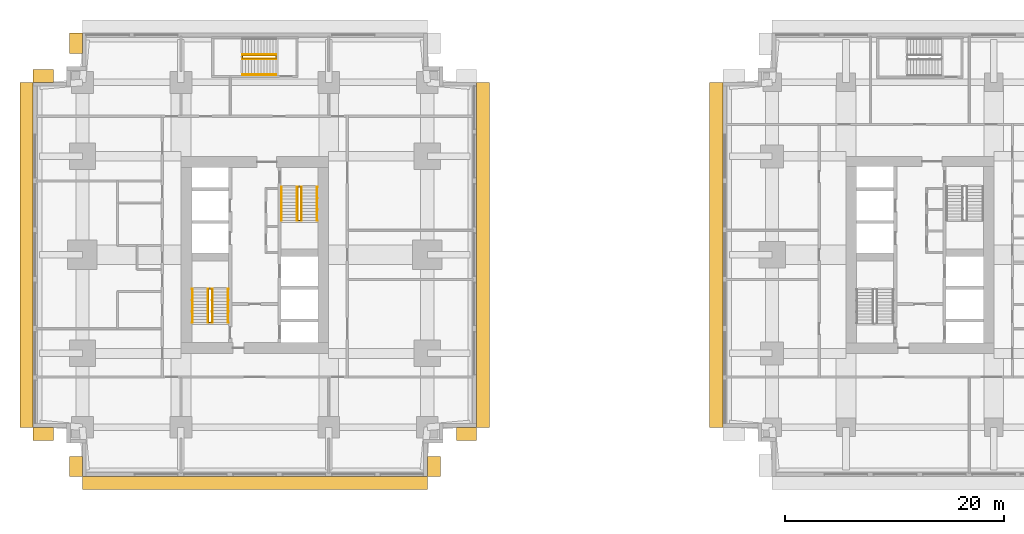
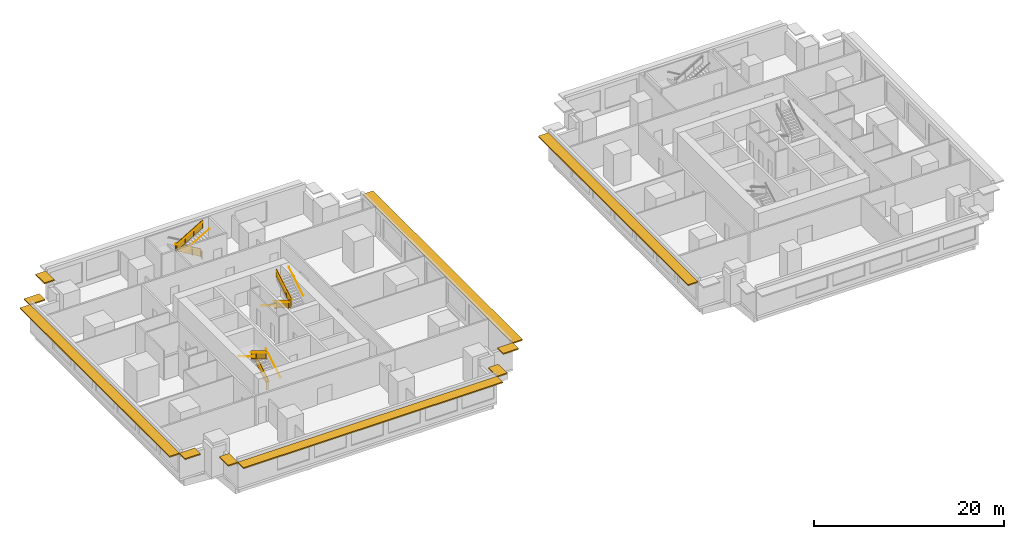
# One storey, part 9 of 11: 14 railings, 10 shading devices.
"""IFC4 building model written with IfcOpenShell, lengths in metres."""

from ifc_helpers import new_model, si_unit, direction, frame, origin, origin_2d, place, context, subcontext, project, spatial, polyline, rectangle, circle, outline, extrude, material, layer, layer_set, type_object, element, save


model = new_model("IFC4")

# Units and contexts
model_context = context("Model", 3, precision=1e-05, world=origin(), true_north=direction((0.0, 1.0)))
body_context = subcontext(model_context, "Body", "Model", "MODEL_VIEW")
ifc_project = project(units=[si_unit("LENGTHUNIT", "METRE"), si_unit("AREAUNIT", "SQUARE_METRE"), si_unit("VOLUMEUNIT", "CUBIC_METRE"), si_unit("PLANEANGLEUNIT", "RADIAN"), si_unit("MASSUNIT", "GRAM", prefix="KILO")], contexts=[model_context])

# Site, building, storey
site_placement = place(None, origin())
site = spatial("IfcSite", under=ifc_project, at=site_placement, CompositionType="ELEMENT")
building_placement = place(site_placement, origin())
building = spatial("IfcBuilding", under=site, at=building_placement, Name="Namib Vertical Campus", CompositionType="ELEMENT")
storey_placement = place(building_placement, frame((0.0, 0.0, 49.0)))
storey = spatial("IfcBuildingStorey", under=building, at=storey_placement, Name="L11", CompositionType="ELEMENT", Elevation=49.0)

# Railings
ifc_material_1 = material(Name="Steel handrail", Category="steel")
railing_type_1 = type_object("IfcRailingType", Name="Handrail 900", PredefinedType="HANDRAIL", material=ifc_material_1)
railing_1_placement = place(storey_placement, frame((17.800048828125, 14.050048828125, 0.166748046875)))
element("IfcRailing", 1, at=railing_1_placement, inside=storey, type_object=railing_type_1, Name="Handrail HR1 A-S1 L11 1", PredefinedType="HANDRAIL", context=body_context, shape_type="SweptSolid", body=[
    extrude(circle(Radius=0.02392578125, at=origin_2d()), frame((0.0, 0.0, 0.8759765625), z_axis=(0.0, 0.859290745958, 0.51148745235), x_axis=(-1.0, 0.0, 0.0)), (0.0, 0.0, 1.0), 3.584228515625),
    extrude(circle(Radius=0.008056640625, at=origin_2d()), frame((0.0, 0.0, 0.8759765625), z_axis=(1.0, 0.0, 0.0), x_axis=(0.0, 0.0, 1.0)), (0.0, 0.0, 1.0), 0.050048828125),
    extrude(circle(Radius=0.008056640625, at=origin_2d()), frame((0.0, 1.026611328125, 1.48681640625), z_axis=(1.0, 0.0, 0.0), x_axis=(0.0, 0.0, 1.0)), (0.0, 0.0, 1.0), 0.050048828125),
    extrude(circle(Radius=0.008056640625, at=origin_2d()), frame((0.0, 2.05322265625, 2.09814453125), z_axis=(1.0, 0.0, 0.0), x_axis=(0.0, 0.0, 1.0)), (0.0, 0.0, 1.0), 0.050048828125),
    extrude(circle(Radius=0.008056640625, at=origin_2d()), frame((0.0, 3.079833984375, 2.708984375), z_axis=(1.0, 0.0, 0.0), x_axis=(0.0, 0.0, 1.0)), (0.0, 0.0, 1.0), 0.050048828125),
])
railing_2_placement = place(storey_placement, frame((14.550048828125, 17.1298828125, 2.166748046875)))
element("IfcRailing", 2, at=railing_2_placement, inside=storey, type_object=railing_type_1, Name="Handrail HR1 A-S1 L11 2", PredefinedType="HANDRAIL", context=body_context, shape_type="SweptSolid", body=[
    extrude(circle(Radius=0.02392578125, at=origin_2d()), frame((0.0, 0.0, 0.8759765625), z_axis=(0.0, -0.859290745958, 0.51148745235), x_axis=(1.0, 0.0, 0.0)), (0.0, 0.0, 1.0), 3.584228515625),
    extrude(circle(Radius=0.008056640625, at=origin_2d()), frame((0.0, 0.0, 0.8759765625), z_axis=(-1.0, 0.0, 0.0), x_axis=(0.0, 0.0, 1.0)), (0.0, 0.0, 1.0), 0.050048828125),
    extrude(circle(Radius=0.008056640625, at=origin_2d()), frame((0.0, -1.026611328125, 1.48681640625), z_axis=(-1.0, 0.0, 0.0), x_axis=(0.0, 0.0, 1.0)), (0.0, 0.0, 1.0), 0.050048828125),
    extrude(circle(Radius=0.008056640625, at=origin_2d()), frame((0.0, -2.05322265625, 2.09814453125), z_axis=(-1.0, 0.0, 0.0), x_axis=(0.0, 0.0, 1.0)), (0.0, 0.0, 1.0), 0.050048828125),
    extrude(circle(Radius=0.008056640625, at=origin_2d()), frame((0.0, -3.079833984375, 2.708984375), z_axis=(-1.0, 0.0, 0.0), x_axis=(0.0, 0.0, 1.0)), (0.0, 0.0, 1.0), 0.050048828125),
])
railing_3_placement = place(storey_placement, frame((16.375, 14.050048828125, 0.166748046875)))
element("IfcRailing", 3, at=railing_3_placement, inside=storey, type_object=railing_type_1, Name="Handrail HR1 A-S1 L11 1 at the well", PredefinedType="HANDRAIL", context=body_context, shape_type="SweptSolid", body=[
    extrude(circle(Radius=0.02392578125, at=origin_2d()), frame((0.0, 0.0, 0.8759765625), z_axis=(0.0, 0.859290745958, 0.51148745235), x_axis=(-1.0, 0.0, 0.0)), (0.0, 0.0, 1.0), 3.584228515625),
    extrude(circle(Radius=0.008056640625, at=origin_2d()), frame((0.0, 0.0, 0.8759765625), z_axis=(-1.0, 0.0, 0.0), x_axis=(0.0, 0.0, 1.0)), (0.0, 0.0, 1.0), 0.0400390625),
    extrude(circle(Radius=0.008056640625, at=origin_2d()), frame((0.0, 1.026611328125, 1.48681640625), z_axis=(-1.0, 0.0, 0.0), x_axis=(0.0, 0.0, 1.0)), (0.0, 0.0, 1.0), 0.0400390625),
    extrude(circle(Radius=0.008056640625, at=origin_2d()), frame((0.0, 2.05322265625, 2.09814453125), z_axis=(-1.0, 0.0, 0.0), x_axis=(0.0, 0.0, 1.0)), (0.0, 0.0, 1.0), 0.0400390625),
    extrude(circle(Radius=0.008056640625, at=origin_2d()), frame((0.0, 3.079833984375, 2.708984375), z_axis=(-1.0, 0.0, 0.0), x_axis=(0.0, 0.0, 1.0)), (0.0, 0.0, 1.0), 0.0400390625),
])
railing_4_placement = place(storey_placement, frame((15.97509765625, 17.1298828125, 2.166748046875)))
element("IfcRailing", 4, at=railing_4_placement, inside=storey, type_object=railing_type_1, Name="Handrail HR1 A-S1 L11 2 at the well", PredefinedType="HANDRAIL", context=body_context, shape_type="SweptSolid", body=[
    extrude(circle(Radius=0.02392578125, at=origin_2d()), frame((0.0, 0.0, 0.8759765625), z_axis=(0.0, -0.859290745958, 0.51148745235), x_axis=(1.0, 0.0, 0.0)), (0.0, 0.0, 1.0), 3.584228515625),
    extrude(circle(Radius=0.008056640625, at=origin_2d()), frame((0.0, 0.0, 0.8759765625), z_axis=(1.0, 0.0, 0.0), x_axis=(0.0, 0.0, 1.0)), (0.0, 0.0, 1.0), 0.0400390625),
    extrude(circle(Radius=0.008056640625, at=origin_2d()), frame((0.0, -1.026611328125, 1.48681640625), z_axis=(1.0, 0.0, 0.0), x_axis=(0.0, 0.0, 1.0)), (0.0, 0.0, 1.0), 0.0400390625),
    extrude(circle(Radius=0.008056640625, at=origin_2d()), frame((0.0, -2.05322265625, 2.09814453125), z_axis=(1.0, 0.0, 0.0), x_axis=(0.0, 0.0, 1.0)), (0.0, 0.0, 1.0), 0.0400390625),
    extrude(circle(Radius=0.008056640625, at=origin_2d()), frame((0.0, -3.079833984375, 2.708984375), z_axis=(1.0, 0.0, 0.0), x_axis=(0.0, 0.0, 1.0)), (0.0, 0.0, 1.0), 0.0400390625),
])
railing_5_placement = place(storey_placement, frame((22.699951171875, 26.449951171875, 0.166748046875)))
element("IfcRailing", 5, at=railing_5_placement, inside=storey, type_object=railing_type_1, Name="Handrail HR1 A-S2 L11 1", PredefinedType="HANDRAIL", context=body_context, shape_type="SweptSolid", body=[
    extrude(circle(Radius=0.02392578125, at=origin_2d()), frame((0.0, 0.0, 0.8759765625), z_axis=(0.0, -0.859290745958, 0.51148745235), x_axis=(1.0, 0.0, 0.0)), (0.0, 0.0, 1.0), 3.584228515625),
    extrude(circle(Radius=0.008056640625, at=origin_2d()), frame((0.0, 0.0, 0.8759765625), z_axis=(-1.0, 0.0, 0.0), x_axis=(0.0, 0.0, 1.0)), (0.0, 0.0, 1.0), 0.050048828125),
    extrude(circle(Radius=0.008056640625, at=origin_2d()), frame((0.0, -1.026611328125, 1.48681640625), z_axis=(-1.0, 0.0, 0.0), x_axis=(0.0, 0.0, 1.0)), (0.0, 0.0, 1.0), 0.050048828125),
    extrude(circle(Radius=0.008056640625, at=origin_2d()), frame((0.0, -2.05322265625, 2.09814453125), z_axis=(-1.0, 0.0, 0.0), x_axis=(0.0, 0.0, 1.0)), (0.0, 0.0, 1.0), 0.050048828125),
    extrude(circle(Radius=0.008056640625, at=origin_2d()), frame((0.0, -3.079833984375, 2.708984375), z_axis=(-1.0, 0.0, 0.0), x_axis=(0.0, 0.0, 1.0)), (0.0, 0.0, 1.0), 0.050048828125),
])
railing_6_placement = place(storey_placement, frame((25.949951171875, 23.3701171875, 2.166748046875)))
element("IfcRailing", 6, at=railing_6_placement, inside=storey, type_object=railing_type_1, Name="Handrail HR1 A-S2 L11 2", PredefinedType="HANDRAIL", context=body_context, shape_type="SweptSolid", body=[
    extrude(circle(Radius=0.02392578125, at=origin_2d()), frame((0.0, 0.0, 0.8759765625), z_axis=(0.0, 0.859290745958, 0.51148745235), x_axis=(-1.0, 0.0, 0.0)), (0.0, 0.0, 1.0), 3.584228515625),
    extrude(circle(Radius=0.008056640625, at=origin_2d()), frame((0.0, 0.0, 0.8759765625), z_axis=(1.0, 0.0, 0.0), x_axis=(0.0, 0.0, 1.0)), (0.0, 0.0, 1.0), 0.050048828125),
    extrude(circle(Radius=0.008056640625, at=origin_2d()), frame((0.0, 1.026611328125, 1.48681640625), z_axis=(1.0, 0.0, 0.0), x_axis=(0.0, 0.0, 1.0)), (0.0, 0.0, 1.0), 0.050048828125),
    extrude(circle(Radius=0.008056640625, at=origin_2d()), frame((0.0, 2.05322265625, 2.09814453125), z_axis=(1.0, 0.0, 0.0), x_axis=(0.0, 0.0, 1.0)), (0.0, 0.0, 1.0), 0.050048828125),
    extrude(circle(Radius=0.008056640625, at=origin_2d()), frame((0.0, 3.079833984375, 2.708984375), z_axis=(1.0, 0.0, 0.0), x_axis=(0.0, 0.0, 1.0)), (0.0, 0.0, 1.0), 0.050048828125),
])
railing_7_placement = place(storey_placement, frame((24.125, 26.449951171875, 0.166748046875)))
element("IfcRailing", 7, at=railing_7_placement, inside=storey, type_object=railing_type_1, Name="Handrail HR1 A-S2 L11 1 at the well", PredefinedType="HANDRAIL", context=body_context, shape_type="SweptSolid", body=[
    extrude(circle(Radius=0.02392578125, at=origin_2d()), frame((0.0, 0.0, 0.8759765625), z_axis=(0.0, -0.859290745958, 0.51148745235), x_axis=(1.0, 0.0, 0.0)), (0.0, 0.0, 1.0), 3.584228515625),
    extrude(circle(Radius=0.008056640625, at=origin_2d()), frame((0.0, 0.0, 0.8759765625), z_axis=(1.0, 0.0, 0.0), x_axis=(0.0, 0.0, 1.0)), (0.0, 0.0, 1.0), 0.0400390625),
    extrude(circle(Radius=0.008056640625, at=origin_2d()), frame((0.0, -1.026611328125, 1.48681640625), z_axis=(1.0, 0.0, 0.0), x_axis=(0.0, 0.0, 1.0)), (0.0, 0.0, 1.0), 0.0400390625),
    extrude(circle(Radius=0.008056640625, at=origin_2d()), frame((0.0, -2.05322265625, 2.09814453125), z_axis=(1.0, 0.0, 0.0), x_axis=(0.0, 0.0, 1.0)), (0.0, 0.0, 1.0), 0.0400390625),
    extrude(circle(Radius=0.008056640625, at=origin_2d()), frame((0.0, -3.079833984375, 2.708984375), z_axis=(1.0, 0.0, 0.0), x_axis=(0.0, 0.0, 1.0)), (0.0, 0.0, 1.0), 0.0400390625),
])
railing_8_placement = place(storey_placement, frame((24.52490234375, 23.3701171875, 2.166748046875)))
element("IfcRailing", 8, at=railing_8_placement, inside=storey, type_object=railing_type_1, Name="Handrail HR1 A-S2 L11 2 at the well", PredefinedType="HANDRAIL", context=body_context, shape_type="SweptSolid", body=[
    extrude(circle(Radius=0.02392578125, at=origin_2d()), frame((0.0, 0.0, 0.8759765625), z_axis=(0.0, 0.859290745958, 0.51148745235), x_axis=(-1.0, 0.0, 0.0)), (0.0, 0.0, 1.0), 3.584228515625),
    extrude(circle(Radius=0.008056640625, at=origin_2d()), frame((0.0, 0.0, 0.8759765625), z_axis=(-1.0, 0.0, 0.0), x_axis=(0.0, 0.0, 1.0)), (0.0, 0.0, 1.0), 0.0400390625),
    extrude(circle(Radius=0.008056640625, at=origin_2d()), frame((0.0, 1.026611328125, 1.48681640625), z_axis=(-1.0, 0.0, 0.0), x_axis=(0.0, 0.0, 1.0)), (0.0, 0.0, 1.0), 0.0400390625),
    extrude(circle(Radius=0.008056640625, at=origin_2d()), frame((0.0, 2.05322265625, 2.09814453125), z_axis=(-1.0, 0.0, 0.0), x_axis=(0.0, 0.0, 1.0)), (0.0, 0.0, 1.0), 0.0400390625),
    extrude(circle(Radius=0.008056640625, at=origin_2d()), frame((0.0, 3.079833984375, 2.708984375), z_axis=(-1.0, 0.0, 0.0), x_axis=(0.0, 0.0, 1.0)), (0.0, 0.0, 1.0), 0.0400390625),
])
railing_9_placement = place(storey_placement, frame((19.1201171875, 36.699951171875, 2.166748046875)))
element("IfcRailing", 9, at=railing_9_placement, inside=storey, type_object=railing_type_1, Name="Handrail HR1 A-S3 L11 2", PredefinedType="HANDRAIL", context=body_context, shape_type="SweptSolid", body=[
    extrude(circle(Radius=0.02392578125, at=origin_2d()), frame((0.0, 0.0, 0.8759765625), z_axis=(0.859290745958, 0.0, 0.51148745235), x_axis=(0.0, 1.0, 0.0)), (0.0, 0.0, 1.0), 3.584228515625),
    extrude(circle(Radius=0.008056640625, at=origin_2d()), frame((0.0, 0.0, 0.8759765625), z_axis=(0.0, -1.0, 0.0), x_axis=(0.0, 0.0, 1.0)), (0.0, 0.0, 1.0), 0.050048828125),
    extrude(circle(Radius=0.008056640625, at=origin_2d()), frame((1.026611328125, 0.0, 1.48681640625), z_axis=(0.0, -1.0, 0.0), x_axis=(0.0, 0.0, 1.0)), (0.0, 0.0, 1.0), 0.050048828125),
    extrude(circle(Radius=0.008056640625, at=origin_2d()), frame((2.05322265625, 0.0, 2.09814453125), z_axis=(0.0, -1.0, 0.0), x_axis=(0.0, 0.0, 1.0)), (0.0, 0.0, 1.0), 0.050048828125),
    extrude(circle(Radius=0.008056640625, at=origin_2d()), frame((3.079833984375, 0.0, 2.708984375), z_axis=(0.0, -1.0, 0.0), x_axis=(0.0, 0.0, 1.0)), (0.0, 0.0, 1.0), 0.050048828125),
])
railing_10_placement = place(storey_placement, frame((22.199951171875, 38.52490234375, 0.166748046875)))
element("IfcRailing", 10, at=railing_10_placement, inside=storey, type_object=railing_type_1, Name="Handrail HR1 A-S3 L11 1 at the well", PredefinedType="HANDRAIL", context=body_context, shape_type="SweptSolid", body=[
    extrude(circle(Radius=0.02392578125, at=origin_2d()), frame((0.0, 0.0, 0.8759765625), z_axis=(-0.859290745958, 0.0, 0.51148745235), x_axis=(0.0, -1.0, 0.0)), (0.0, 0.0, 1.0), 3.584228515625),
    extrude(circle(Radius=0.008056640625, at=origin_2d()), frame((0.0, 0.0, 0.8759765625), z_axis=(0.0, -1.0, 0.0), x_axis=(0.0, 0.0, 1.0)), (0.0, 0.0, 1.0), 0.0400390625),
    extrude(circle(Radius=0.008056640625, at=origin_2d()), frame((-1.026611328125, 0.0, 1.48681640625), z_axis=(0.0, -1.0, 0.0), x_axis=(0.0, 0.0, 1.0)), (0.0, 0.0, 1.0), 0.0400390625),
    extrude(circle(Radius=0.008056640625, at=origin_2d()), frame((-2.05322265625, 0.0, 2.09814453125), z_axis=(0.0, -1.0, 0.0), x_axis=(0.0, 0.0, 1.0)), (0.0, 0.0, 1.0), 0.0400390625),
    extrude(circle(Radius=0.008056640625, at=origin_2d()), frame((-3.079833984375, 0.0, 2.708984375), z_axis=(0.0, -1.0, 0.0), x_axis=(0.0, 0.0, 1.0)), (0.0, 0.0, 1.0), 0.0400390625),
])
railing_11_placement = place(storey_placement, frame((19.1201171875, 38.125, 2.166748046875)))
element("IfcRailing", 11, at=railing_11_placement, inside=storey, type_object=railing_type_1, Name="Handrail HR1 A-S3 L11 2 at the well", PredefinedType="HANDRAIL", context=body_context, shape_type="SweptSolid", body=[
    extrude(circle(Radius=0.02392578125, at=origin_2d()), frame((0.0, 0.0, 0.8759765625), z_axis=(0.859290745958, 0.0, 0.51148745235), x_axis=(0.0, 1.0, 0.0)), (0.0, 0.0, 1.0), 3.584228515625),
    extrude(circle(Radius=0.008056640625, at=origin_2d()), frame((0.0, 0.0, 0.8759765625), z_axis=(0.0, 1.0, 0.0), x_axis=(0.0, 0.0, 1.0)), (0.0, 0.0, 1.0), 0.0400390625),
    extrude(circle(Radius=0.008056640625, at=origin_2d()), frame((1.026611328125, 0.0, 1.48681640625), z_axis=(0.0, 1.0, 0.0), x_axis=(0.0, 0.0, 1.0)), (0.0, 0.0, 1.0), 0.0400390625),
    extrude(circle(Radius=0.008056640625, at=origin_2d()), frame((2.05322265625, 0.0, 2.09814453125), z_axis=(0.0, 1.0, 0.0), x_axis=(0.0, 0.0, 1.0)), (0.0, 0.0, 1.0), 0.0400390625),
    extrude(circle(Radius=0.008056640625, at=origin_2d()), frame((3.079833984375, 0.0, 2.708984375), z_axis=(0.0, 1.0, 0.0), x_axis=(0.0, 0.0, 1.0)), (0.0, 0.0, 1.0), 0.0400390625),
])
ifc_material_2 = material(Name="Steel balustrade", Category="steel")
railing_type_2 = type_object("IfcRailingType", Name="Stair guard 1100", PredefinedType="GUARDRAIL", material=ifc_material_2)
railing_12_placement = place(storey_placement, frame((16.02490234375, 14.050048828125, 0.0)))
element("IfcRailing", 12, at=railing_12_placement, inside=storey, type_object=railing_type_2, Name="Stair guard GR1 A-S1 L11", PredefinedType="GUARDRAIL", context=body_context, shape_type="SweptSolid", body=[
    extrude(circle(Radius=0.02392578125, at=origin_2d()), frame((0.0, 0.0, 1.076171875), z_axis=(1.0, 0.0, 0.0), x_axis=(0.0, 1.0, 0.0)), (0.0, 0.0, 1.0), 0.300048828125),
    extrude(outline(polyline([(0.02099609375, 0.050048828125), (0.279052734375, 0.050048828125), (0.279052734375, 1.052001953125), (0.02099609375, 1.052001953125), (0.02099609375, 0.050048828125)])), frame((0.0, 0.010009765625, 0.0), z_axis=(0.0, -1.0, 0.0), x_axis=(1.0, 0.0, 0.0)), (0.0, 0.0, 1.0), 0.02001953125),
    extrude(circle(Radius=0.02392578125, at=origin_2d()), frame((0.300048828125, 0.0, 1.076171875), z_axis=(0.0, 0.0, 1.0), x_axis=(1.0, 0.0, 0.0)), (0.0, 0.0, 1.0), 0.166748046875),
    extrude(circle(Radius=0.02392578125, at=origin_2d()), frame((0.300048828125, 0.0, 1.24267578125), z_axis=(0.0, 0.859290745958, 0.51148745235), x_axis=(-1.0, 0.0, 0.0)), (0.0, 0.0, 1.0), 3.584228515625),
    extrude(outline(polyline([(0.02099609375, 0.0625), (3.058837890625, 1.870849609375), (3.058837890625, 2.872802734375), (0.02099609375, 1.064453125), (0.02099609375, 0.0625)])), frame((0.2900390625, 0.0, 0.166748046875), z_axis=(1.0, 0.0, 0.0), x_axis=(0.0, 1.0, 0.0)), (0.0, 0.0, 1.0), 0.02001953125),
    extrude(circle(Radius=0.02392578125, at=origin_2d()), frame((0.300048828125, 3.079833984375, 3.076171875), z_axis=(-1.0, 0.0, 0.0), x_axis=(0.0, -1.0, 0.0)), (0.0, 0.0, 1.0), 0.300048828125),
    extrude(outline(polyline([(0.02099609375, 0.050048828125), (0.279052734375, 0.050048828125), (0.279052734375, 1.052001953125), (0.02099609375, 1.052001953125), (0.02099609375, 0.050048828125)])), frame((0.300048828125, 3.06982421875, 2.0), z_axis=(0.0, 1.0, 0.0), x_axis=(-1.0, 0.0, 0.0)), (0.0, 0.0, 1.0), 0.02001953125),
    extrude(circle(Radius=0.02392578125, at=origin_2d()), frame((0.0, 3.079833984375, 3.076171875), z_axis=(0.0, 0.0, 1.0), x_axis=(1.0, 0.0, 0.0)), (0.0, 0.0, 1.0), 0.166748046875),
    extrude(circle(Radius=0.02392578125, at=origin_2d()), frame((0.0, 3.079833984375, 3.24267578125), z_axis=(0.0, -0.859290745958, 0.51148745235), x_axis=(1.0, 0.0, 0.0)), (0.0, 0.0, 1.0), 3.584228515625),
    extrude(outline(polyline([(0.02099609375, 0.0625), (3.058837890625, 1.870849609375), (3.058837890625, 2.872802734375), (0.02099609375, 1.064453125), (0.02099609375, 0.0625)])), frame((0.010009765625, 3.079833984375, 2.166748046875), z_axis=(-1.0, 0.0, 0.0), x_axis=(0.0, -1.0, 0.0)), (0.0, 0.0, 1.0), 0.02001953125),
    extrude(circle(Radius=0.02392578125, at=origin_2d()), frame((0.0, 0.0, 5.076171875), z_axis=(0.0, -1.0, 0.0), x_axis=(1.0, 0.0, 0.0)), (0.0, 0.0, 1.0), 0.050048828125),
    extrude(outline(polyline([(0.02099609375, 0.050048828125), (0.029052734375, 0.050048828125), (0.029052734375, 1.052001953125), (0.02099609375, 1.052001953125), (0.02099609375, 0.050048828125)])), frame((0.010009765625, 0.0, 4.0), z_axis=(-1.0, 0.0, 0.0), x_axis=(0.0, -1.0, 0.0)), (0.0, 0.0, 1.0), 0.02001953125),
    extrude(circle(Radius=0.02099609375, at=origin_2d()), origin(), (0.0, 0.0, 1.0), 1.052001953125),
    extrude(circle(Radius=0.02099609375, at=origin_2d()), frame((0.300048828125, 0.0, 0.166748046875)), (0.0, 0.0, 1.0), 1.052001953125),
    extrude(circle(Radius=0.02099609375, at=origin_2d()), frame((0.300048828125, 1.026611328125, 0.666748046875)), (0.0, 0.0, 1.0), 1.1630859375),
    extrude(circle(Radius=0.02099609375, at=origin_2d()), frame((0.300048828125, 2.05322265625, 1.33349609375)), (0.0, 0.0, 1.0), 1.107421875),
    extrude(circle(Radius=0.02099609375, at=origin_2d()), frame((0.300048828125, 3.079833984375, 2.0)), (0.0, 0.0, 1.0), 1.052001953125),
    extrude(circle(Radius=0.02099609375, at=origin_2d()), frame((0.0, 3.079833984375, 2.166748046875)), (0.0, 0.0, 1.0), 1.052001953125),
    extrude(circle(Radius=0.02099609375, at=origin_2d()), frame((0.0, 2.05322265625, 2.666748046875)), (0.0, 0.0, 1.0), 1.1630859375),
    extrude(circle(Radius=0.02099609375, at=origin_2d()), frame((0.0, 1.026611328125, 3.33349609375)), (0.0, 0.0, 1.0), 1.107421875),
    extrude(circle(Radius=0.02099609375, at=origin_2d()), frame((0.0, 0.0, 4.0)), (0.0, 0.0, 1.0), 1.052001953125),
    extrude(circle(Radius=0.02099609375, at=origin_2d()), frame((0.0, -0.050048828125, 4.0)), (0.0, 0.0, 1.0), 1.052001953125),
])
railing_13_placement = place(storey_placement, frame((24.47509765625, 26.449951171875, 0.0)))
element("IfcRailing", 13, at=railing_13_placement, inside=storey, type_object=railing_type_2, Name="Stair guard GR1 A-S2 L11", PredefinedType="GUARDRAIL", context=body_context, shape_type="SweptSolid", body=[
    extrude(circle(Radius=0.02392578125, at=origin_2d()), frame((0.0, 0.0, 1.076171875), z_axis=(-1.0, 0.0, 0.0), x_axis=(0.0, -1.0, 0.0)), (0.0, 0.0, 1.0), 0.300048828125),
    extrude(outline(polyline([(0.02099609375, 0.050048828125), (0.279052734375, 0.050048828125), (0.279052734375, 1.052001953125), (0.02099609375, 1.052001953125), (0.02099609375, 0.050048828125)])), frame((0.0, -0.010009765625, 0.0), z_axis=(0.0, 1.0, 0.0), x_axis=(-1.0, 0.0, 0.0)), (0.0, 0.0, 1.0), 0.02001953125),
    extrude(circle(Radius=0.02392578125, at=origin_2d()), frame((-0.300048828125, 0.0, 1.076171875), z_axis=(0.0, 0.0, 1.0), x_axis=(1.0, 0.0, 0.0)), (0.0, 0.0, 1.0), 0.166748046875),
    extrude(circle(Radius=0.02392578125, at=origin_2d()), frame((-0.300048828125, 0.0, 1.24267578125), z_axis=(0.0, -0.859290745958, 0.51148745235), x_axis=(1.0, 0.0, 0.0)), (0.0, 0.0, 1.0), 3.584228515625),
    extrude(outline(polyline([(0.02099609375, 0.0625), (3.058837890625, 1.870849609375), (3.058837890625, 2.872802734375), (0.02099609375, 1.064453125), (0.02099609375, 0.0625)])), frame((-0.2900390625, 0.0, 0.166748046875), z_axis=(-1.0, 0.0, 0.0), x_axis=(0.0, -1.0, 0.0)), (0.0, 0.0, 1.0), 0.02001953125),
    extrude(circle(Radius=0.02392578125, at=origin_2d()), frame((-0.300048828125, -3.079833984375, 3.076171875), z_axis=(1.0, 0.0, 0.0), x_axis=(0.0, 1.0, 0.0)), (0.0, 0.0, 1.0), 0.300048828125),
    extrude(outline(polyline([(0.02099609375, 0.050048828125), (0.279052734375, 0.050048828125), (0.279052734375, 1.052001953125), (0.02099609375, 1.052001953125), (0.02099609375, 0.050048828125)])), frame((-0.300048828125, -3.06982421875, 2.0), z_axis=(0.0, -1.0, 0.0), x_axis=(1.0, 0.0, 0.0)), (0.0, 0.0, 1.0), 0.02001953125),
    extrude(circle(Radius=0.02392578125, at=origin_2d()), frame((0.0, -3.079833984375, 3.076171875), z_axis=(0.0, 0.0, 1.0), x_axis=(1.0, 0.0, 0.0)), (0.0, 0.0, 1.0), 0.166748046875),
    extrude(circle(Radius=0.02392578125, at=origin_2d()), frame((0.0, -3.079833984375, 3.24267578125), z_axis=(0.0, 0.859290745958, 0.51148745235), x_axis=(-1.0, 0.0, 0.0)), (0.0, 0.0, 1.0), 3.584228515625),
    extrude(outline(polyline([(0.02099609375, 0.0625), (3.058837890625, 1.870849609375), (3.058837890625, 2.872802734375), (0.02099609375, 1.064453125), (0.02099609375, 0.0625)])), frame((-0.010009765625, -3.079833984375, 2.166748046875), z_axis=(1.0, 0.0, 0.0), x_axis=(0.0, 1.0, 0.0)), (0.0, 0.0, 1.0), 0.02001953125),
    extrude(circle(Radius=0.02392578125, at=origin_2d()), frame((0.0, 0.0, 5.076171875), z_axis=(0.0, 1.0, 0.0), x_axis=(-1.0, 0.0, 0.0)), (0.0, 0.0, 1.0), 0.050048828125),
    extrude(outline(polyline([(0.02099609375, 0.050048828125), (0.029052734375, 0.050048828125), (0.029052734375, 1.052001953125), (0.02099609375, 1.052001953125), (0.02099609375, 0.050048828125)])), frame((-0.010009765625, 0.0, 4.0), z_axis=(1.0, 0.0, 0.0), x_axis=(0.0, 1.0, 0.0)), (0.0, 0.0, 1.0), 0.02001953125),
    extrude(circle(Radius=0.02099609375, at=origin_2d()), origin(), (0.0, 0.0, 1.0), 1.052001953125),
    extrude(circle(Radius=0.02099609375, at=origin_2d()), frame((-0.300048828125, 0.0, 0.166748046875)), (0.0, 0.0, 1.0), 1.052001953125),
    extrude(circle(Radius=0.02099609375, at=origin_2d()), frame((-0.300048828125, -1.026611328125, 0.666748046875)), (0.0, 0.0, 1.0), 1.1630859375),
    extrude(circle(Radius=0.02099609375, at=origin_2d()), frame((-0.300048828125, -2.05322265625, 1.33349609375)), (0.0, 0.0, 1.0), 1.107421875),
    extrude(circle(Radius=0.02099609375, at=origin_2d()), frame((-0.300048828125, -3.079833984375, 2.0)), (0.0, 0.0, 1.0), 1.052001953125),
    extrude(circle(Radius=0.02099609375, at=origin_2d()), frame((0.0, -3.079833984375, 2.166748046875)), (0.0, 0.0, 1.0), 1.052001953125),
    extrude(circle(Radius=0.02099609375, at=origin_2d()), frame((0.0, -2.05322265625, 2.666748046875)), (0.0, 0.0, 1.0), 1.1630859375),
    extrude(circle(Radius=0.02099609375, at=origin_2d()), frame((0.0, -1.026611328125, 3.33349609375)), (0.0, 0.0, 1.0), 1.107421875),
    extrude(circle(Radius=0.02099609375, at=origin_2d()), frame((0.0, 0.0, 4.0)), (0.0, 0.0, 1.0), 1.052001953125),
    extrude(circle(Radius=0.02099609375, at=origin_2d()), frame((0.0, 0.050048828125, 4.0)), (0.0, 0.0, 1.0), 1.052001953125),
])
railing_14_placement = place(storey_placement, frame((22.199951171875, 38.175048828125, 0.0)))
element("IfcRailing", 14, at=railing_14_placement, inside=storey, type_object=railing_type_2, Name="Stair guard GR1 A-S3 L11", PredefinedType="GUARDRAIL", context=body_context, shape_type="SweptSolid", body=[
    extrude(circle(Radius=0.02392578125, at=origin_2d()), frame((0.0, 0.0, 1.076171875), z_axis=(0.0, 1.0, 0.0), x_axis=(-1.0, 0.0, 0.0)), (0.0, 0.0, 1.0), 0.300048828125),
    extrude(outline(polyline([(0.02099609375, 0.050048828125), (0.279052734375, 0.050048828125), (0.279052734375, 1.052001953125), (0.02099609375, 1.052001953125), (0.02099609375, 0.050048828125)])), frame((-0.010009765625, 0.0, 0.0), z_axis=(1.0, 0.0, 0.0), x_axis=(0.0, 1.0, 0.0)), (0.0, 0.0, 1.0), 0.02001953125),
    extrude(circle(Radius=0.02392578125, at=origin_2d()), frame((0.0, 0.300048828125, 1.076171875), z_axis=(0.0, 0.0, 1.0), x_axis=(1.0, 0.0, 0.0)), (0.0, 0.0, 1.0), 0.166748046875),
    extrude(circle(Radius=0.02392578125, at=origin_2d()), frame((0.0, 0.300048828125, 1.24267578125), z_axis=(-0.859290745958, 0.0, 0.51148745235), x_axis=(0.0, -1.0, 0.0)), (0.0, 0.0, 1.0), 3.584228515625),
    extrude(outline(polyline([(0.02099609375, 0.0625), (3.058837890625, 1.870849609375), (3.058837890625, 2.872802734375), (0.02099609375, 1.064453125), (0.02099609375, 0.0625)])), frame((0.0, 0.2900390625, 0.166748046875), z_axis=(0.0, 1.0, 0.0), x_axis=(-1.0, 0.0, 0.0)), (0.0, 0.0, 1.0), 0.02001953125),
    extrude(circle(Radius=0.02392578125, at=origin_2d()), frame((-3.079833984375, 0.300048828125, 3.076171875), z_axis=(0.0, -1.0, 0.0), x_axis=(1.0, 0.0, 0.0)), (0.0, 0.0, 1.0), 0.300048828125),
    extrude(outline(polyline([(0.02099609375, 0.050048828125), (0.279052734375, 0.050048828125), (0.279052734375, 1.052001953125), (0.02099609375, 1.052001953125), (0.02099609375, 0.050048828125)])), frame((-3.06982421875, 0.300048828125, 2.0), z_axis=(-1.0, 0.0, 0.0), x_axis=(0.0, -1.0, 0.0)), (0.0, 0.0, 1.0), 0.02001953125),
    extrude(circle(Radius=0.02392578125, at=origin_2d()), frame((-3.079833984375, 0.0, 3.076171875), z_axis=(0.0, 0.0, 1.0), x_axis=(1.0, 0.0, 0.0)), (0.0, 0.0, 1.0), 0.166748046875),
    extrude(circle(Radius=0.02392578125, at=origin_2d()), frame((-3.079833984375, 0.0, 3.24267578125), z_axis=(0.859290745958, 0.0, 0.51148745235), x_axis=(0.0, 1.0, 0.0)), (0.0, 0.0, 1.0), 3.584228515625),
    extrude(outline(polyline([(0.02099609375, 0.0625), (3.058837890625, 1.870849609375), (3.058837890625, 2.872802734375), (0.02099609375, 1.064453125), (0.02099609375, 0.0625)])), frame((-3.079833984375, 0.010009765625, 2.166748046875), z_axis=(0.0, -1.0, 0.0), x_axis=(1.0, 0.0, 0.0)), (0.0, 0.0, 1.0), 0.02001953125),
    extrude(circle(Radius=0.02392578125, at=origin_2d()), frame((0.0, 0.0, 5.076171875), z_axis=(1.0, 0.0, 0.0), x_axis=(0.0, 1.0, 0.0)), (0.0, 0.0, 1.0), 0.050048828125),
    extrude(outline(polyline([(0.02099609375, 0.050048828125), (0.029052734375, 0.050048828125), (0.029052734375, 1.052001953125), (0.02099609375, 1.052001953125), (0.02099609375, 0.050048828125)])), frame((0.0, 0.010009765625, 4.0), z_axis=(0.0, -1.0, 0.0), x_axis=(1.0, 0.0, 0.0)), (0.0, 0.0, 1.0), 0.02001953125),
    extrude(circle(Radius=0.02099609375, at=origin_2d()), origin(), (0.0, 0.0, 1.0), 1.052001953125),
    extrude(circle(Radius=0.02099609375, at=origin_2d()), frame((0.0, 0.300048828125, 0.166748046875)), (0.0, 0.0, 1.0), 1.052001953125),
    extrude(circle(Radius=0.02099609375, at=origin_2d()), frame((-1.026611328125, 0.300048828125, 0.666748046875)), (0.0, 0.0, 1.0), 1.1630859375),
    extrude(circle(Radius=0.02099609375, at=origin_2d()), frame((-2.05322265625, 0.300048828125, 1.33349609375)), (0.0, 0.0, 1.0), 1.107421875),
    extrude(circle(Radius=0.02099609375, at=origin_2d()), frame((-3.079833984375, 0.300048828125, 2.0)), (0.0, 0.0, 1.0), 1.052001953125),
    extrude(circle(Radius=0.02099609375, at=origin_2d()), frame((-3.079833984375, 0.0, 2.166748046875)), (0.0, 0.0, 1.0), 1.052001953125),
    extrude(circle(Radius=0.02099609375, at=origin_2d()), frame((-2.05322265625, 0.0, 2.666748046875)), (0.0, 0.0, 1.0), 1.1630859375),
    extrude(circle(Radius=0.02099609375, at=origin_2d()), frame((-1.026611328125, 0.0, 3.33349609375)), (0.0, 0.0, 1.0), 1.107421875),
    extrude(circle(Radius=0.02099609375, at=origin_2d()), frame((0.0, 0.0, 4.0)), (0.0, 0.0, 1.0), 1.052001953125),
    extrude(circle(Radius=0.02099609375, at=origin_2d()), frame((0.050048828125, 0.0, 4.0)), (0.0, 0.0, 1.0), 1.052001953125),
])

# Shading devices
ifc_material_3 = material(Name="Concrete C40/50 precast", Category="concrete")
ifc_layer = layer(ifc_material_3, 0.14990234375)
ifc_layer_set = layer_set([ifc_layer], Name="Concrete C40/50 precast")
shading_device_type = type_object("IfcShadingDeviceType", Name="Sunshade hood 1200", PredefinedType="SHUTTER", material=ifc_layer_set)
shading_device_1_placement = place(storey_placement, frame((20.25, -0.60009765625, 3.199951171875), z_axis=(0.0, 0.0, 1.0), x_axis=(1.0, 0.0, 0.0)))
element("IfcShadingDevice", 15, at=shading_device_1_placement, inside=storey, type_object=shading_device_type, Name="Sunshade SH2 L11 1", PredefinedType="SHUTTER", context=body_context, shape_type="SweptSolid", body=[
    extrude(rectangle(XDim=31.5, YDim=1.199951171875, at=origin_2d()), origin(), (0.0, 0.0, 1.0), 0.14990234375),
])
for number, where, z_axis, x_axis, name in (
    (16, (36.60009765625, 0.925048828125, 3.199951171875), (0.0, 0.0, 1.0), (0.0, 1.0, 0.0), "Sunshade SH2 L11 2"),
    (17, (39.574951171875, 3.89990234375, 3.199951171875), (0.0, 0.0, 1.0), (1.0, 0.0, 0.0), "Sunshade SH2 L11 5"),
):
    element("IfcShadingDevice", number, at=place(storey_placement, frame(where, z_axis=z_axis, x_axis=x_axis)), inside=storey, type_object=shading_device_type, Name=name, PredefinedType="SHUTTER", context=body_context, shape_type="SweptSolid", body=[
        extrude(rectangle(XDim=1.85009765625, YDim=1.199951171875, at=origin_2d()), origin(), (0.0, 0.0, 1.0), 0.14990234375),
    ])
shading_device_2_placement = place(storey_placement, frame((41.10009765625, 20.25, 3.199951171875), z_axis=(0.0, 0.0, 1.0), x_axis=(0.0, 1.0, 0.0)))
element("IfcShadingDevice", 18, at=shading_device_2_placement, inside=storey, type_object=shading_device_type, Name="Sunshade SH2 L11 6", PredefinedType="SHUTTER", context=body_context, shape_type="SweptSolid", body=[
    extrude(rectangle(XDim=31.5, YDim=1.199951171875, at=origin_2d()), origin(), (0.0, 0.0, 1.0), 0.14990234375),
])
for number, where, z_axis, x_axis, name in (
    (19, (3.89990234375, 39.574951171875, 3.199951171875), (0.0, 0.0, 1.0), (0.0, -1.0, 0.0), "Sunshade SH2 L11 12"),
    (20, (0.925048828125, 36.60009765625, 3.199951171875), (0.0, 0.0, 1.0), (-1.0, 0.0, 0.0), "Sunshade SH2 L11 15"),
):
    element("IfcShadingDevice", number, at=place(storey_placement, frame(where, z_axis=z_axis, x_axis=x_axis)), inside=storey, type_object=shading_device_type, Name=name, PredefinedType="SHUTTER", context=body_context, shape_type="SweptSolid", body=[
        extrude(rectangle(XDim=1.85009765625, YDim=1.199951171875, at=origin_2d()), origin(), (0.0, 0.0, 1.0), 0.14990234375),
    ])
shading_device_3_placement = place(storey_placement, frame((-0.60009765625, 20.25, 3.199951171875), z_axis=(0.0, 0.0, 1.0), x_axis=(0.0, -1.0, 0.0)))
element("IfcShadingDevice", 21, at=shading_device_3_placement, inside=storey, type_object=shading_device_type, Name="Sunshade SH2 L11 16", PredefinedType="SHUTTER", context=body_context, shape_type="SweptSolid", body=[
    extrude(rectangle(XDim=31.5, YDim=1.199951171875, at=origin_2d()), origin(), (0.0, 0.0, 1.0), 0.14990234375),
])
for number, where, z_axis, x_axis, name in (
    (22, (0.925048828125, 3.89990234375, 3.199951171875), (0.0, 0.0, 1.0), (1.0, 0.0, 0.0), "Sunshade SH2 L11 17"),
    (23, (3.89990234375, 0.925048828125, 3.199951171875), (0.0, 0.0, 1.0), (0.0, -1.0, 0.0), "Sunshade SH2 L11 20"),
):
    element("IfcShadingDevice", number, at=place(storey_placement, frame(where, z_axis=z_axis, x_axis=x_axis)), inside=storey, type_object=shading_device_type, Name=name, PredefinedType="SHUTTER", context=body_context, shape_type="SweptSolid", body=[
        extrude(rectangle(XDim=1.85009765625, YDim=1.199951171875, at=origin_2d()), origin(), (0.0, 0.0, 1.0), 0.14990234375),
    ])
shading_device_4_placement = place(storey_placement, frame((62.39990234375, 20.25, 3.199951171875), z_axis=(0.0, 0.0, 1.0), x_axis=(0.0, -1.0, 0.0)))
element("IfcShadingDevice", 24, at=shading_device_4_placement, inside=storey, type_object=shading_device_type, Name="Sunshade SH2 L11 16", PredefinedType="SHUTTER", context=body_context, shape_type="SweptSolid", body=[
    extrude(rectangle(XDim=31.5, YDim=1.199951171875, at=origin_2d()), origin(), (0.0, 0.0, 1.0), 0.14990234375),
])

save(model, "model.ifc")
